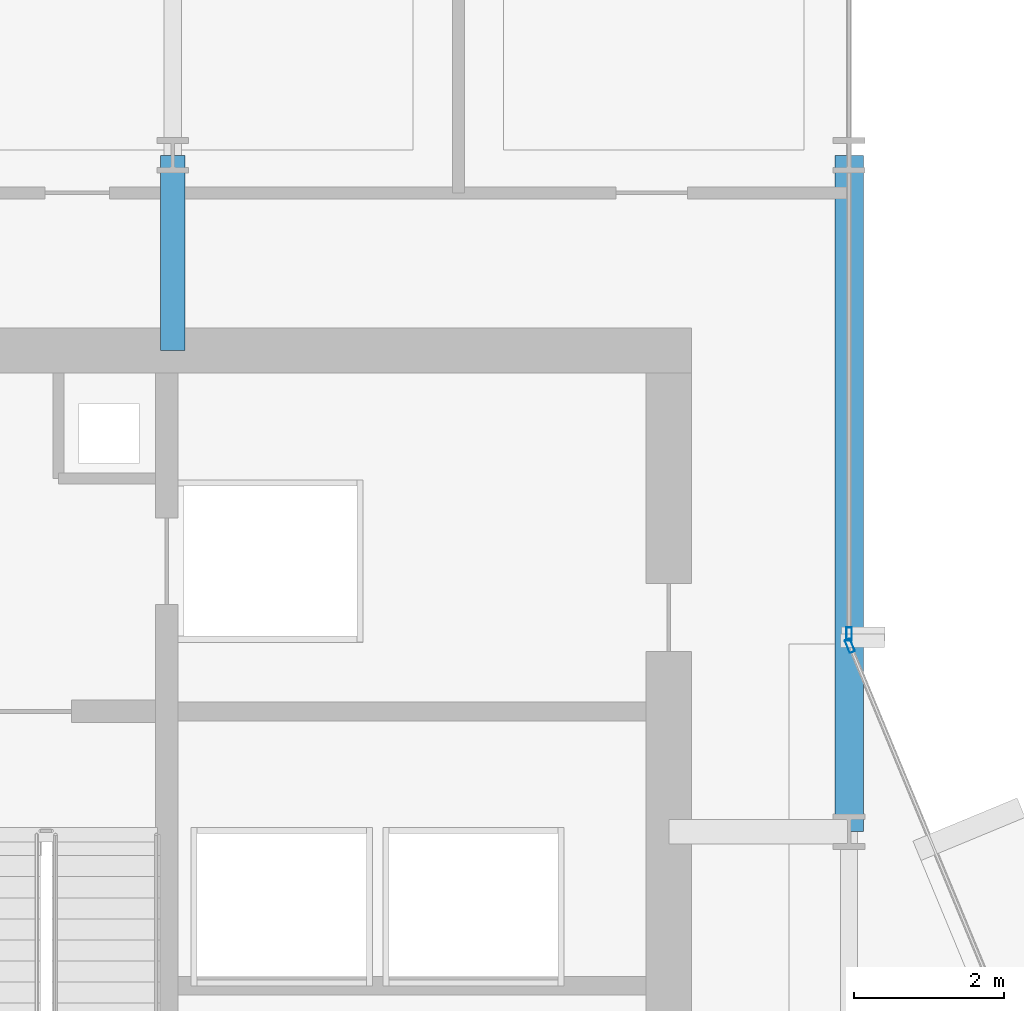
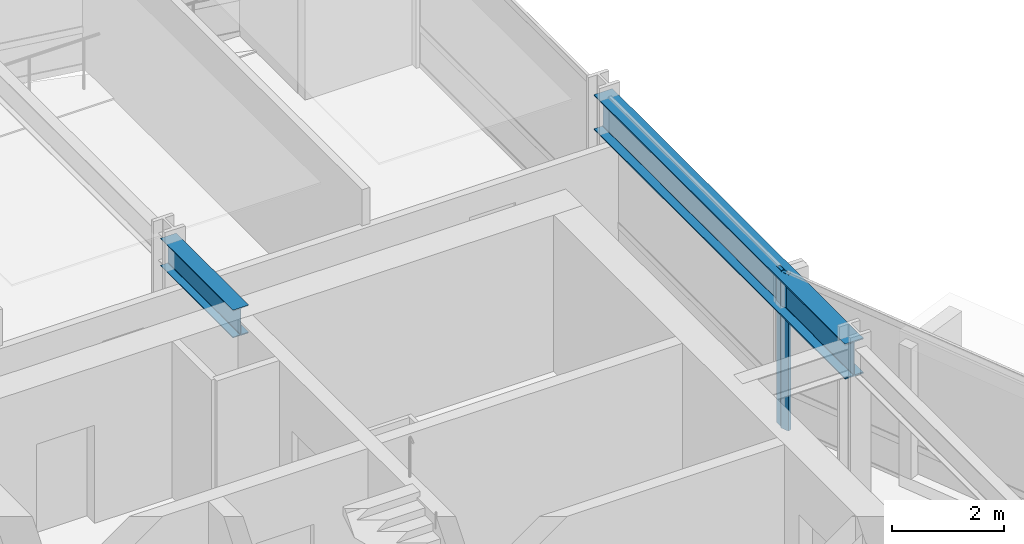
# One storey, part 21 of 34: 2 beams, 2 members, 2 elements without a shape of their own.
"""IFC4 building model written with IfcOpenShell, lengths in metres."""

from ifc_helpers import new_model, si_unit, direction, frame, origin, origin_2d, place, context, subcontext, project, spatial, hollow_rectangle, i_section, extrude, material, layer, layer_set, material_profile, profile_set, type_object, element, aggregate, save


model = new_model("IFC4")

# Units and contexts
model_context = context("Model", 3, precision=1e-05, world=origin(), true_north=direction((0.0, 1.0)))
body_context = subcontext(model_context, "Body", "Model", "MODEL_VIEW")
ifc_project = project(units=[si_unit("LENGTHUNIT", "METRE"), si_unit("AREAUNIT", "SQUARE_METRE"), si_unit("VOLUMEUNIT", "CUBIC_METRE"), si_unit("PLANEANGLEUNIT", "RADIAN"), si_unit("MASSUNIT", "GRAM", prefix="KILO")], contexts=[model_context])

# Site, building, storey
site_placement = place(None, origin())
site = spatial("IfcSite", under=ifc_project, at=site_placement, CompositionType="ELEMENT")
building_placement = place(site_placement, origin())
building = spatial("IfcBuilding", under=site, at=building_placement, Name="Solvaryn Broadcast Tower", CompositionType="ELEMENT")
storey_placement = place(building_placement, frame((0.0, 0.0, 73.0)))
storey = spatial("IfcBuildingStorey", under=building, at=storey_placement, Name="L17", CompositionType="ELEMENT", Elevation=73.0)

# Beams
ifc_material_1 = material(Name="Steel ASTM A992 Grade 50", Category="steel")
ifc_material_profile_1 = material_profile(ifc_material_1, i_section(OverallWidth=0.323974609375, OverallDepth=0.611083984375, WebThickness=0.0126953125, FlangeThickness=0.01904296875, FilletRadius=0.014892578125, at=origin_2d()))
ifc_profile_set_1 = profile_set([ifc_material_profile_1], Name="Steel ASTM A992 Grade 50")
beam_type_1 = type_object("IfcBeamType", Name="BM-B1-W24X104", PredefinedType="BEAM", material=ifc_profile_set_1)
beam_1_placement = place(storey_placement, frame((18.0, 42.39990234375, 3.114501953125), z_axis=(0.0, 1.0, 0.0), x_axis=(-1.0, 0.0, 0.0)))
element("IfcBeam", 1, at=beam_1_placement, inside=storey, type_object=beam_type_1, Name="L17 Core Tie Beam CTW3", PredefinedType="BEAM", context=body_context, shape_type="SweptSolid", body=[
    extrude(i_section(OverallWidth=0.323974609375, OverallDepth=0.611083984375, WebThickness=0.0126953125, FlangeThickness=0.01904296875, FilletRadius=0.014892578125, at=origin_2d()), origin(), (0.0, 0.0, 1.0), 2.60009765625),
])
ifc_material_2 = material(Name="Steel ASTM A992 Grade 50", Category="steel")
ifc_material_profile_2 = material_profile(ifc_material_2, i_section(OverallWidth=0.381103515625, OverallDepth=0.77294921875, WebThickness=0.0166015625, FlangeThickness=0.027099609375, FilletRadius=0.01806640625, at=origin_2d()))
ifc_profile_set_2 = profile_set([ifc_material_profile_2], Name="Steel ASTM A992 Grade 50")
beam_type_2 = type_object("IfcBeamType", Name="BM-SP1-W30X173", PredefinedType="USERDEFINED", material=ifc_profile_set_2)
beam_2_placement = place(storey_placement, frame((27.0, 36.0, 3.033447265625), z_axis=(0.0, 1.0, 0.0), x_axis=(-1.0, 0.0, 0.0)))
element("IfcBeam", 2, at=beam_2_placement, inside=storey, type_object=beam_type_2, Name="L17 Spandrel Beam Y (36-45 @ X=27)", ObjectType="SPANDREL", PredefinedType="USERDEFINED", context=body_context, shape_type="SweptSolid", body=[
    extrude(i_section(OverallWidth=0.381103515625, OverallDepth=0.77294921875, WebThickness=0.0166015625, FlangeThickness=0.027099609375, FilletRadius=0.01806640625, at=origin_2d()), origin(), (0.0, 0.0, 1.0), 9.0),
])

# Curtain wall, member
ifc_material_3 = material(Name="Aluminium and Terracotta Unitised Curtain Wall", Category="masonry")
ifc_layer = layer(ifc_material_3, 0.199951171875)
ifc_layer_set = layer_set([ifc_layer], Name="CW-SYS2-LOWMID")
curtain_wall_type = type_object("IfcCurtainWallType", Name="CW-SYS2-LOWMID", PredefinedType="NOTDEFINED", material=ifc_layer_set)
curtain_wall_1_placement = place(storey_placement, origin())
curtain_wall_1 = element("IfcCurtainWall", 3, at=curtain_wall_1_placement, inside=storey, type_object=curtain_wall_type, Name="L17 Curtain Wall IV", PredefinedType="NOTDEFINED")
ifc_material_4 = material(Name="Anodised Aluminium 6063-T6", Category="aluminium")
ifc_material_profile_3 = material_profile(ifc_material_4, hollow_rectangle(XDim=0.074951171875, YDim=0.179931640625, WallThickness=0.00390625, InnerFilletRadius=0.00390625, OuterFilletRadius=0.008056640625, at=origin_2d()))
ifc_profile_set_3 = profile_set([ifc_material_profile_3], Name="Anodised Aluminium 6063-T6")
member_type = type_object("IfcMemberType", Name="CW-MUL-180", PredefinedType="MULLION", material=ifc_profile_set_3)
member_1_placement = place(storey_placement, frame((27.0, 38.6298828125, 0.0), z_axis=(0.0, 0.0, 1.0), x_axis=(1.0, 0.0, 0.0)))
member_1 = element("IfcMember", 4, at=member_1_placement, type_object=member_type, Name="CWS2 mullion 2", PredefinedType="MULLION", context=body_context, shape_type="SweptSolid", body=[
    extrude(hollow_rectangle(XDim=0.074951171875, YDim=0.179931640625, WallThickness=0.00390625, InnerFilletRadius=0.00390625, OuterFilletRadius=0.008056640625, at=origin_2d()), origin(), (0.0, 0.0, 1.0), 3.419921875),
])
aggregate(curtain_wall_1, [member_1])

curtain_wall_2_placement = place(storey_placement, origin())
curtain_wall_2 = element("IfcCurtainWall", 5, at=curtain_wall_2_placement, inside=storey, type_object=curtain_wall_type, Name="L17 Curtain Wall CN2", PredefinedType="NOTDEFINED")
member_2_placement = place(storey_placement, frame((27.011474609375, 38.47216796875, 0.0), z_axis=(0.0, 0.0, 1.0), x_axis=(-0.923894983957, -0.382646127145, 0.0)))
member_2 = element("IfcMember", 6, at=member_2_placement, type_object=member_type, Name="CWS2 mullion 2", PredefinedType="MULLION", context=body_context, shape_type="SweptSolid", body=[
    extrude(hollow_rectangle(XDim=0.074951171875, YDim=0.179931640625, WallThickness=0.00390625, InnerFilletRadius=0.00390625, OuterFilletRadius=0.008056640625, at=origin_2d()), origin(), (0.0, 0.0, 1.0), 3.419921875),
])
aggregate(curtain_wall_2, [member_2])

save(model, "model.ifc")
